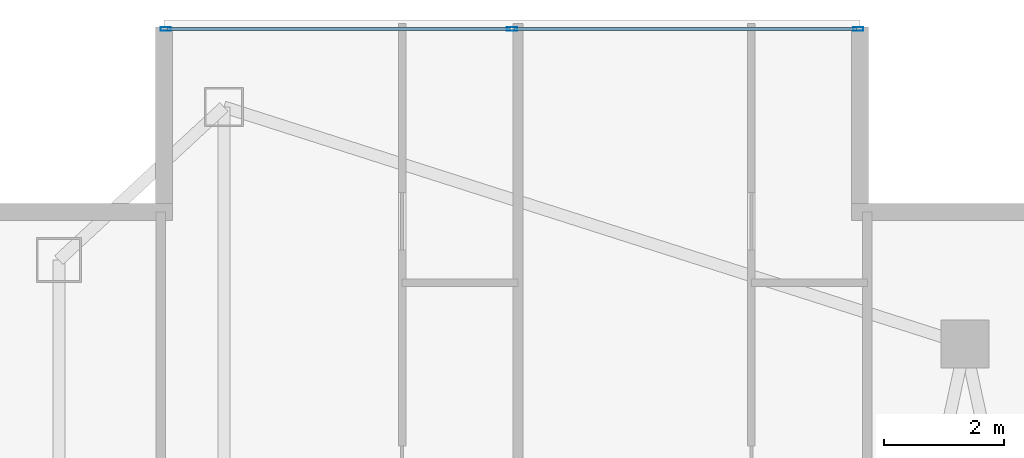
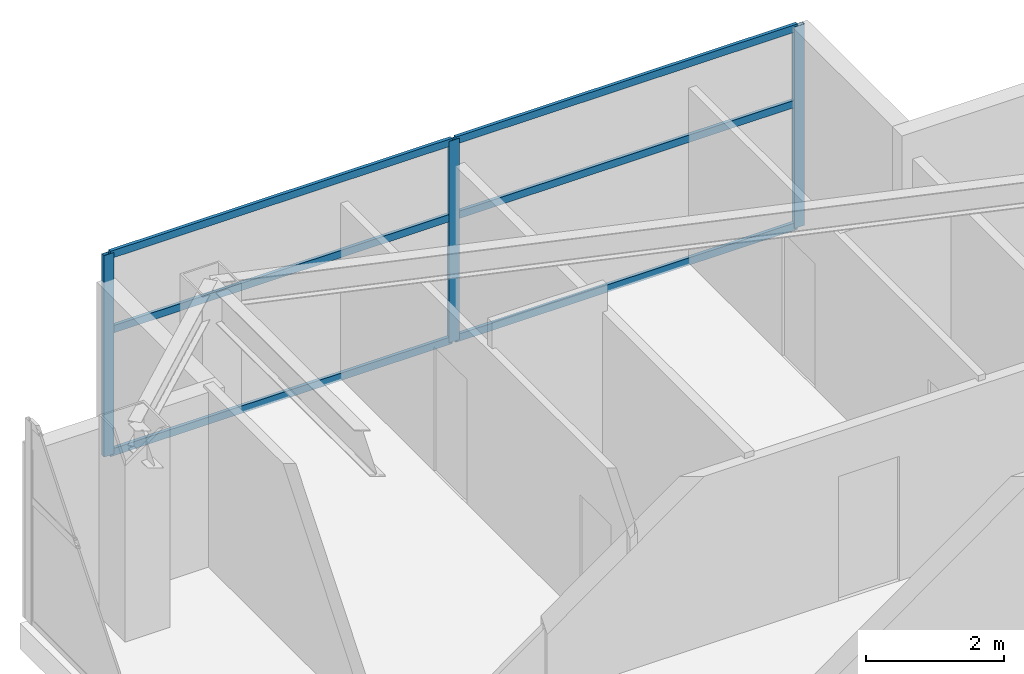
# One storey, part 21 of 28: 9 members, 1 element without a shape of its own.
"""IFC4 building model written with IfcOpenShell, lengths in metres."""

from ifc_helpers import new_model, si_unit, direction, frame, origin, origin_2d, place, context, subcontext, project, spatial, hollow_rectangle, extrude, material, layer, layer_set, material_profile, profile_set, type_object, element, aggregate, save


model = new_model("IFC4")

# Units and contexts
model_context = context("Model", 3, precision=1e-05, world=origin(), true_north=direction((0.0, 1.0)))
body_context = subcontext(model_context, "Body", "Model", "MODEL_VIEW")
ifc_project = project(units=[si_unit("LENGTHUNIT", "METRE"), si_unit("AREAUNIT", "SQUARE_METRE"), si_unit("VOLUMEUNIT", "CUBIC_METRE"), si_unit("PLANEANGLEUNIT", "RADIAN"), si_unit("MASSUNIT", "GRAM", prefix="KILO")], contexts=[model_context])

# Site, building, storey
site_placement = place(None, origin())
site = spatial("IfcSite", under=ifc_project, at=site_placement, CompositionType="ELEMENT")
building_placement = place(site_placement, origin())
building = spatial("IfcBuilding", under=site, at=building_placement, Name="Calvorn Quay Hotel", CompositionType="ELEMENT")
storey_placement = place(building_placement, frame((0.0, 0.0, 263.5)))
storey = spatial("IfcBuildingStorey", under=building, at=storey_placement, Name="L65", CompositionType="ELEMENT", Elevation=263.5)

# Curtain wall, members
ifc_material_1 = material(Name="Champagne Bronze Anodised Aluminium and Low-E Glass", Category="aluminium")
ifc_layer = layer(ifc_material_1, 0.219970703125)
ifc_layer_set = layer_set([ifc_layer], Name="CW-SYS-Z4")
curtain_wall_type = type_object("IfcCurtainWallType", Name="CW-SYS-Z4", PredefinedType="NOTDEFINED", material=ifc_layer_set)
curtain_wall_placement = place(storey_placement, origin())
curtain_wall = element("IfcCurtainWall", 1, at=curtain_wall_placement, inside=storey, type_object=curtain_wall_type, Name="Inner Court Curtain Wall L65-N1", PredefinedType="NOTDEFINED")
ifc_material_2 = material(Name="Champagne Bronze Anodised Aluminium 6063-T6", Category="aluminium")
ifc_material_profile_1 = material_profile(ifc_material_2, hollow_rectangle(XDim=0.06494140625, YDim=0.169921875, WallThickness=0.00341796875, at=origin_2d()), Name="ALU-M170x65x3.5")
ifc_profile_set_1 = profile_set([ifc_material_profile_1], Name="Champagne Bronze Anodised Aluminium 6063-T6")
member_type_1 = type_object("IfcMemberType", Name="CW-SYS-Z4-MUL", PredefinedType="MULLION", material=ifc_profile_set_1)
member_1_placement = place(storey_placement, frame((14.77001953125, 50.85009765625, 0.0), z_axis=(0.0, 0.0, 1.0), x_axis=(0.0, -1.0, 0.0)))
member_1 = element("IfcMember", 2, at=member_1_placement, type_object=member_type_1, Name="CW-L65-N1 mullion 1", PredefinedType="MULLION", context=body_context, shape_type="SweptSolid", body=[
    extrude(hollow_rectangle(XDim=0.06494140625, YDim=0.169921875, WallThickness=0.00341796875, at=origin_2d()), origin(), (0.0, 0.0, 1.0), 3.56005859375),
])
member_2_placement = place(storey_placement, frame((9.0, 50.85009765625, 0.0), z_axis=(0.0, 0.0, 1.0), x_axis=(0.0, -1.0, 0.0)))
member_2 = element("IfcMember", 3, at=member_2_placement, type_object=member_type_1, Name="CW-L65-N1 mullion 2", PredefinedType="MULLION", context=body_context, shape_type="SweptSolid", body=[
    extrude(hollow_rectangle(XDim=0.06494140625, YDim=0.169921875, WallThickness=0.00341796875, at=origin_2d()), origin(), (0.0, 0.0, 1.0), 3.56005859375),
])
member_3_placement = place(storey_placement, frame((3.22998046875, 50.85009765625, 0.0), z_axis=(0.0, 0.0, 1.0), x_axis=(0.0, -1.0, 0.0)))
member_3 = element("IfcMember", 4, at=member_3_placement, type_object=member_type_1, Name="CW-L65-N1 mullion 3", PredefinedType="MULLION", context=body_context, shape_type="SweptSolid", body=[
    extrude(hollow_rectangle(XDim=0.06494140625, YDim=0.169921875, WallThickness=0.00341796875, at=origin_2d()), origin(), (0.0, 0.0, 1.0), 3.56005859375),
])
ifc_material_3 = material(Name="Champagne Bronze Anodised Aluminium 6063-T6", Category="aluminium")
ifc_material_profile_2 = material_profile(ifc_material_3, hollow_rectangle(XDim=0.054931640625, YDim=0.1298828125, WallThickness=0.003173828125, at=origin_2d()), Name="ALU-T130x55x3.2")
ifc_profile_set_2 = profile_set([ifc_material_profile_2], Name="Champagne Bronze Anodised Aluminium 6063-T6")
member_type_2 = type_object("IfcMemberType", Name="CW-SYS-Z4-TRN", PredefinedType="USERDEFINED", material=ifc_profile_set_2)
member_4_placement = place(storey_placement, frame((14.739990234375, 50.85009765625, 0.030029296875), z_axis=(-1.0, 0.0, 0.0), x_axis=(0.0, -1.0, 0.0)))
member_4 = element("IfcMember", 5, at=member_4_placement, type_object=member_type_2, Name="CW-L65-N1 transom 1.1", ObjectType="TRANSOM", PredefinedType="USERDEFINED", context=body_context, shape_type="SweptSolid", body=[
    extrude(hollow_rectangle(XDim=0.054931640625, YDim=0.1298828125, WallThickness=0.003173828125, at=origin_2d()), origin(), (0.0, 0.0, 1.0), 5.7099609375),
])
member_5_placement = place(storey_placement, frame((14.739990234375, 50.85009765625, 2.199951171875), z_axis=(-1.0, 0.0, 0.0), x_axis=(0.0, -1.0, 0.0)))
member_5 = element("IfcMember", 6, at=member_5_placement, type_object=member_type_2, Name="CW-L65-N1 transom 1.2", ObjectType="TRANSOM", PredefinedType="USERDEFINED", context=body_context, shape_type="SweptSolid", body=[
    extrude(hollow_rectangle(XDim=0.054931640625, YDim=0.1298828125, WallThickness=0.003173828125, at=origin_2d()), origin(), (0.0, 0.0, 1.0), 5.7099609375),
])
member_6_placement = place(storey_placement, frame((14.739990234375, 50.85009765625, 3.530029296875), z_axis=(-1.0, 0.0, 0.0), x_axis=(0.0, -1.0, 0.0)))
member_6 = element("IfcMember", 7, at=member_6_placement, type_object=member_type_2, Name="CW-L65-N1 transom 1.3", ObjectType="TRANSOM", PredefinedType="USERDEFINED", context=body_context, shape_type="SweptSolid", body=[
    extrude(hollow_rectangle(XDim=0.054931640625, YDim=0.1298828125, WallThickness=0.003173828125, at=origin_2d()), origin(), (0.0, 0.0, 1.0), 5.7099609375),
])
member_7_placement = place(storey_placement, frame((8.969970703125, 50.85009765625, 0.030029296875), z_axis=(-1.0, 0.0, 0.0), x_axis=(0.0, -1.0, 0.0)))
member_7 = element("IfcMember", 8, at=member_7_placement, type_object=member_type_2, Name="CW-L65-N1 transom 2.1", ObjectType="TRANSOM", PredefinedType="USERDEFINED", context=body_context, shape_type="SweptSolid", body=[
    extrude(hollow_rectangle(XDim=0.054931640625, YDim=0.1298828125, WallThickness=0.003173828125, at=origin_2d()), origin(), (0.0, 0.0, 1.0), 5.7099609375),
])
member_8_placement = place(storey_placement, frame((8.969970703125, 50.85009765625, 2.199951171875), z_axis=(-1.0, 0.0, 0.0), x_axis=(0.0, -1.0, 0.0)))
member_8 = element("IfcMember", 9, at=member_8_placement, type_object=member_type_2, Name="CW-L65-N1 transom 2.2", ObjectType="TRANSOM", PredefinedType="USERDEFINED", context=body_context, shape_type="SweptSolid", body=[
    extrude(hollow_rectangle(XDim=0.054931640625, YDim=0.1298828125, WallThickness=0.003173828125, at=origin_2d()), origin(), (0.0, 0.0, 1.0), 5.7099609375),
])
member_9_placement = place(storey_placement, frame((8.969970703125, 50.85009765625, 3.530029296875), z_axis=(-1.0, 0.0, 0.0), x_axis=(0.0, -1.0, 0.0)))
member_9 = element("IfcMember", 10, at=member_9_placement, type_object=member_type_2, Name="CW-L65-N1 transom 2.3", ObjectType="TRANSOM", PredefinedType="USERDEFINED", context=body_context, shape_type="SweptSolid", body=[
    extrude(hollow_rectangle(XDim=0.054931640625, YDim=0.1298828125, WallThickness=0.003173828125, at=origin_2d()), origin(), (0.0, 0.0, 1.0), 5.7099609375),
])
aggregate(curtain_wall, [member_1, member_2, member_3, member_4, member_5, member_6, member_7, member_8, member_9])

save(model, "model.ifc")
